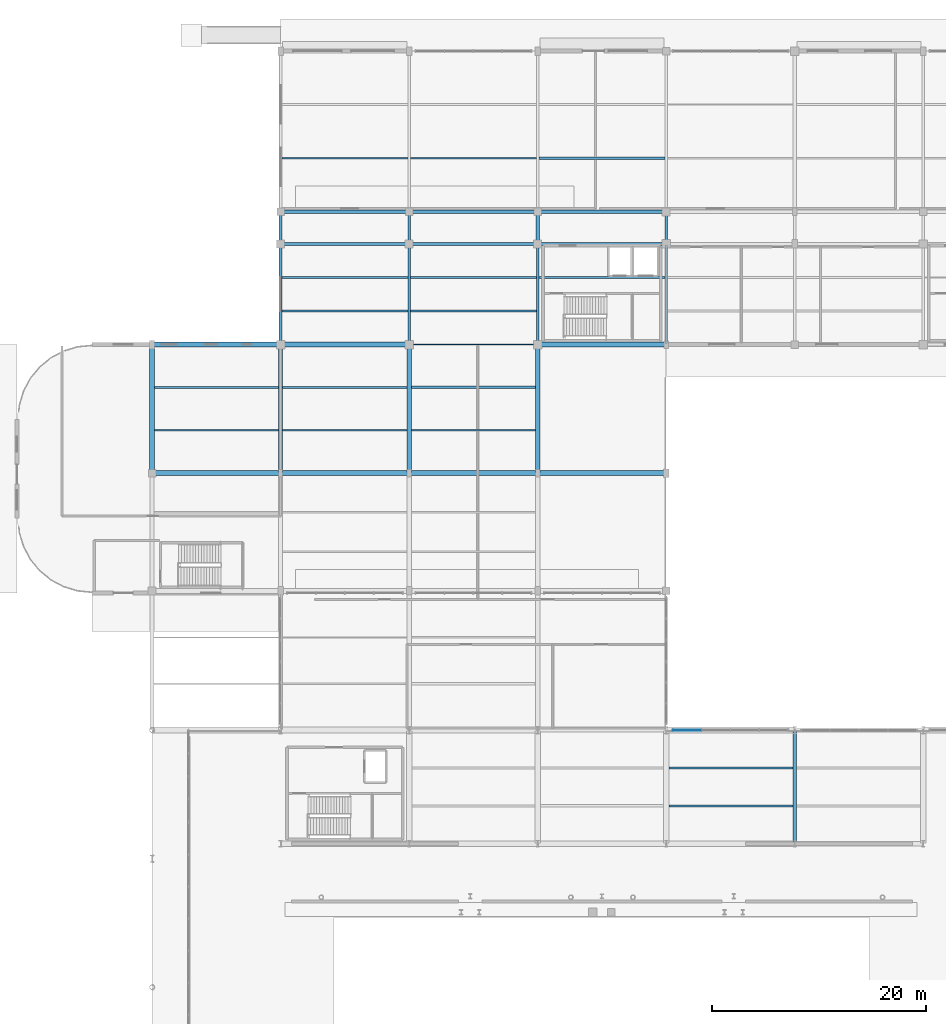
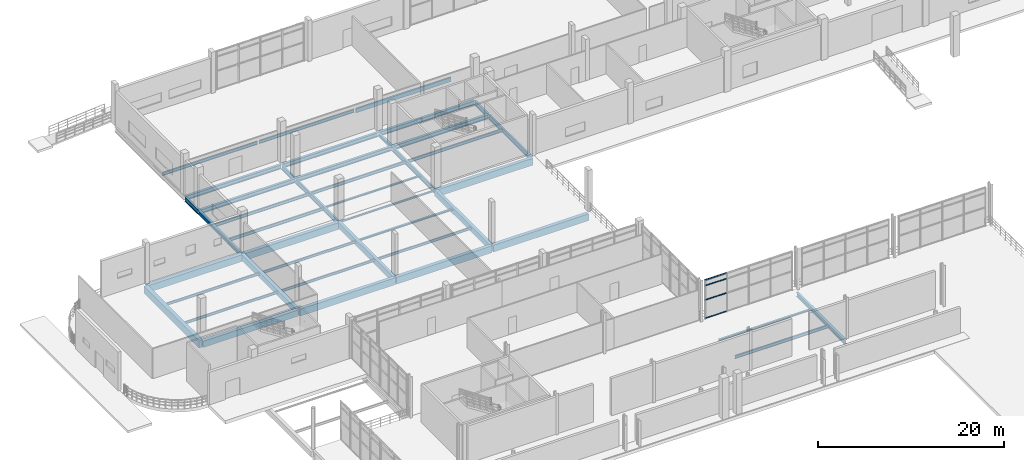
# One storey, part 28 of 85: 43 beams, 4 members, 1 element without a shape of its own.
"""IFC4 building model written with IfcOpenShell, lengths in metres."""

from ifc_helpers import new_model, si_unit, direction, frame, origin, origin_2d, place, context, subcontext, project, spatial, rectangle, i_section, extrude, material, material_profile, profile_set, type_object, element, aggregate, save


model = new_model("IFC4")

# Units and contexts
model_context = context("Model", 3, precision=1e-05, world=origin(), true_north=direction((0.0, 1.0)))
body_context = subcontext(model_context, "Body", "Model", "MODEL_VIEW")
ifc_project = project(units=[si_unit("LENGTHUNIT", "METRE"), si_unit("AREAUNIT", "SQUARE_METRE"), si_unit("VOLUMEUNIT", "CUBIC_METRE"), si_unit("PLANEANGLEUNIT", "RADIAN"), si_unit("MASSUNIT", "GRAM", prefix="KILO"), si_unit("THERMODYNAMICTEMPERATUREUNIT", "KELVIN"), si_unit("POWERUNIT", "WATT")], contexts=[model_context])

# Site, building, storey
site_placement = place(None, origin())
site = spatial("IfcSite", under=ifc_project, at=site_placement, CompositionType="ELEMENT")
building_placement = place(site_placement, origin())
building = spatial("IfcBuilding", under=site, at=building_placement, Name="Solmara Park Aquatics Centre", CompositionType="ELEMENT")
storey_placement = place(building_placement, origin())
storey = spatial("IfcBuildingStorey", under=building, at=storey_placement, Name="L00", CompositionType="ELEMENT", Elevation=0.0)

# Curtain wall, members
ifc_material_1 = material(Name="Anodised Aluminium Curtain Wall Framing", Category="aluminium")
curtain_wall_type = type_object("IfcCurtainWallType", Name="ARC-CW-SYS02", PredefinedType="USERDEFINED", material=ifc_material_1)
curtain_wall_placement = place(storey_placement, origin())
curtain_wall = element("IfcCurtainWall", 1, at=curtain_wall_placement, inside=storey, type_object=curtain_wall_type, Name="Curtain Wall CW-021", ObjectType="CURTAIN WALL", PredefinedType="USERDEFINED")
ifc_material_2 = material(Name="Anodised Aluminium Alloy 6063-T6", Category="aluminium")
ifc_material_profile_1 = material_profile(ifc_material_2, rectangle(XDim=0.074951171875, YDim=0.14990234375, at=origin_2d()), Name="ALU TRANSOM 75x150")
ifc_profile_set_1 = profile_set([ifc_material_profile_1], Name="Anodised Aluminium Alloy 6063-T6")
member_type = type_object("IfcMemberType", Name="ARC-CWT-75x150", PredefinedType="USERDEFINED", material=ifc_profile_set_1)
member_1_placement = place(storey_placement, frame((61.219970703125, 72.60009765625, 0.0400390625), z_axis=(1.0, 0.0, 0.0), x_axis=(0.0, 1.0, 0.0)))
member_1 = element("IfcMember", 2, at=member_1_placement, type_object=member_type, Name="CW-021 transom 1", ObjectType="TRANSOM", PredefinedType="USERDEFINED", context=body_context, shape_type="SweptSolid", body=[
    extrude(rectangle(XDim=0.074951171875, YDim=0.14990234375, at=origin_2d()), origin(), (0.0, 0.0, 1.0), 2.6201171875),
])
member_2_placement = place(storey_placement, frame((61.219970703125, 72.60009765625, 2.449951171875), z_axis=(1.0, 0.0, 0.0), x_axis=(0.0, 1.0, 0.0)))
member_2 = element("IfcMember", 3, at=member_2_placement, type_object=member_type, Name="CW-021 transom 2", ObjectType="TRANSOM", PredefinedType="USERDEFINED", context=body_context, shape_type="SweptSolid", body=[
    extrude(rectangle(XDim=0.074951171875, YDim=0.14990234375, at=origin_2d()), origin(), (0.0, 0.0, 1.0), 2.6201171875),
])
member_3_placement = place(storey_placement, frame((61.219970703125, 72.60009765625, 4.330078125), z_axis=(1.0, 0.0, 0.0), x_axis=(0.0, 1.0, 0.0)))
member_3 = element("IfcMember", 4, at=member_3_placement, type_object=member_type, Name="CW-021 transom 3", ObjectType="TRANSOM", PredefinedType="USERDEFINED", context=body_context, shape_type="SweptSolid", body=[
    extrude(rectangle(XDim=0.074951171875, YDim=0.14990234375, at=origin_2d()), origin(), (0.0, 0.0, 1.0), 2.6201171875),
])
member_4_placement = place(storey_placement, frame((61.219970703125, 72.60009765625, 5.0400390625), z_axis=(1.0, 0.0, 0.0), x_axis=(0.0, 1.0, 0.0)))
member_4 = element("IfcMember", 5, at=member_4_placement, type_object=member_type, Name="CW-021 transom 4", ObjectType="TRANSOM", PredefinedType="USERDEFINED", context=body_context, shape_type="SweptSolid", body=[
    extrude(rectangle(XDim=0.074951171875, YDim=0.14990234375, at=origin_2d()), origin(), (0.0, 0.0, 1.0), 2.6201171875),
])
aggregate(curtain_wall, [member_1, member_2, member_3, member_4])

# Beams
ifc_material_3 = material(Name="Structural Steel S355", Category="steel")
ifc_material_profile_2 = material_profile(ifc_material_3, i_section(OverallWidth=0.300048828125, OverallDepth=0.389892578125, WebThickness=0.010986328125, FlangeThickness=0.01904296875, FilletRadius=0.027099609375, at=origin_2d()), Name="HEA 400")
ifc_profile_set_2 = profile_set([ifc_material_profile_2], Name="Structural Steel S355")
beam_type_1 = type_object("IfcBeamType", Name="STR-BM-HEA400", PredefinedType="BEAM", material=ifc_profile_set_2)
beam_1_placement = place(storey_placement, frame((48.60009765625, 118.080078125, -0.614990234375), z_axis=(0.0, 1.0, 0.0), x_axis=(-1.0, 0.0, 0.0)))
element("IfcBeam", 6, at=beam_1_placement, inside=storey, type_object=beam_type_1, Name="Girder BM-L00-0147", PredefinedType="BEAM", context=body_context, shape_type="SweptSolid", body=[
    extrude(i_section(OverallWidth=0.300048828125, OverallDepth=0.389892578125, WebThickness=0.010986328125, FlangeThickness=0.01904296875, FilletRadius=0.027099609375, at=origin_2d()), origin(), (0.0, 0.0, 1.0), 2.83984375),
])
ifc_material_profile_3 = material_profile(ifc_material_3, i_section(OverallWidth=0.300048828125, OverallDepth=0.489990234375, WebThickness=0.011962890625, FlangeThickness=0.02294921875, FilletRadius=0.027099609375, at=origin_2d()), Name="HEA 500")
ifc_profile_set_3 = profile_set([ifc_material_profile_3], Name="Structural Steel S355")
beam_type_2 = type_object("IfcBeamType", Name="STR-BM-HEA500", PredefinedType="BEAM", material=ifc_profile_set_3)
beam_2_placement = place(storey_placement, frame((24.60009765625, 108.679931640625, -0.6650390625), z_axis=(0.0, 1.0, 0.0), x_axis=(-1.0, 0.0, 0.0)))
element("IfcBeam", 7, at=beam_2_placement, inside=storey, type_object=beam_type_2, Name="Girder BM-L00-0140", PredefinedType="BEAM", context=body_context, shape_type="SweptSolid", body=[
    extrude(i_section(OverallWidth=0.300048828125, OverallDepth=0.489990234375, WebThickness=0.011962890625, FlangeThickness=0.02294921875, FilletRadius=0.027099609375, at=origin_2d()), origin(), (0.0, 0.0, 1.0), 9.239990234375),
])
ifc_material_profile_4 = material_profile(ifc_material_3, i_section(OverallWidth=0.300048828125, OverallDepth=0.5400390625, WebThickness=0.012451171875, FlangeThickness=0.02392578125, FilletRadius=0.027099609375, at=origin_2d()), Name="HEA 550")
ifc_profile_set_4 = profile_set([ifc_material_profile_4], Name="Structural Steel S355")
beam_type_3 = type_object("IfcBeamType", Name="STR-BM-HEA550", PredefinedType="BEAM", material=ifc_profile_set_4)
beam_3_placement = place(storey_placement, frame((72.60009765625, 62.080078125, -0.68994140625), z_axis=(0.0, 1.0, 0.0), x_axis=(-1.0, 0.0, 0.0)))
element("IfcBeam", 8, at=beam_3_placement, inside=storey, type_object=beam_type_3, Name="Girder BM-L00-0028", PredefinedType="BEAM", context=body_context, shape_type="SweptSolid", body=[
    extrude(i_section(OverallWidth=0.300048828125, OverallDepth=0.5400390625, WebThickness=0.012451171875, FlangeThickness=0.02392578125, FilletRadius=0.027099609375, at=origin_2d()), origin(), (0.0, 0.0, 1.0), 10.43994140625),
])
ifc_material_profile_5 = material_profile(ifc_material_3, i_section(OverallWidth=0.300048828125, OverallDepth=0.550048828125, WebThickness=0.014892578125, FlangeThickness=0.029052734375, FilletRadius=0.027099609375, at=origin_2d()), Name="HEB 550")
ifc_profile_set_5 = profile_set([ifc_material_profile_5], Name="Structural Steel S355")
beam_type_4 = type_object("IfcBeamType", Name="STR-BM-HEB550", PredefinedType="BEAM", material=ifc_profile_set_5)
for number, where, z_axis, x_axis, name in (
    (9, (24.679931640625, 118.0, -0.695068359375), (1.0, 0.0, 0.0), (0.0, 1.0, 0.0), "Girder BM-L00-0123"),
    (10, (36.679931640625, 118.0, -0.695068359375), (1.0, 0.0, 0.0), (0.0, 1.0, 0.0), "Girder BM-L00-0124"),
    (11, (48.679931640625, 118.0, -0.695068359375), (1.0, 0.0, 0.0), (0.0, 1.0, 0.0), "Girder BM-L00-0125"),
    (12, (24.679931640625, 121.0, -0.695068359375), (1.0, 0.0, 0.0), (0.0, 1.0, 0.0), "Girder BM-L00-0134"),
    (13, (36.679931640625, 121.0, -0.695068359375), (1.0, 0.0, 0.0), (0.0, 1.0, 0.0), "Girder BM-L00-0135"),
    (14, (48.679931640625, 121.0, -0.695068359375), (1.0, 0.0, 0.0), (0.0, 1.0, 0.0), "Girder BM-L00-0136"),
):
    element("IfcBeam", number, at=place(storey_placement, frame(where, z_axis=z_axis, x_axis=x_axis)), inside=storey, type_object=beam_type_4, Name=name, PredefinedType="BEAM", context=body_context, shape_type="SweptSolid", body=[
        extrude(i_section(OverallWidth=0.300048828125, OverallDepth=0.550048828125, WebThickness=0.014892578125, FlangeThickness=0.029052734375, FilletRadius=0.027099609375, at=origin_2d()), origin(), (0.0, 0.0, 1.0), 11.840087890625),
    ])
ifc_material_profile_6 = material_profile(ifc_material_3, i_section(OverallWidth=0.219970703125, OverallDepth=0.60009765625, WebThickness=0.011962890625, FlangeThickness=0.01904296875, FilletRadius=0.02392578125, at=origin_2d()), Name="IPE 600")
ifc_profile_set_6 = profile_set([ifc_material_profile_6], Name="Structural Steel S355")
beam_type_5 = type_object("IfcBeamType", Name="STR-BM-IPE600", PredefinedType="BEAM", material=ifc_profile_set_6)
beam_4_placement = place(storey_placement, frame((24.60009765625, 118.080078125, -0.719970703125), z_axis=(0.0, 1.0, 0.0), x_axis=(-1.0, 0.0, 0.0)))
element("IfcBeam", 15, at=beam_4_placement, inside=storey, type_object=beam_type_5, Name="Girder BM-L00-0141", PredefinedType="BEAM", context=body_context, shape_type="SweptSolid", body=[
    extrude(i_section(OverallWidth=0.219970703125, OverallDepth=0.60009765625, WebThickness=0.011962890625, FlangeThickness=0.01904296875, FilletRadius=0.02392578125, at=origin_2d()), origin(), (0.0, 0.0, 1.0), 2.83984375),
])
beam_5_placement = place(storey_placement, frame((36.60009765625, 108.679931640625, -0.719970703125), z_axis=(0.0, 1.0, 0.0), x_axis=(-1.0, 0.0, 0.0)))
element("IfcBeam", 16, at=beam_5_placement, inside=storey, type_object=beam_type_5, Name="Girder BM-L00-0143", PredefinedType="BEAM", context=body_context, shape_type="SweptSolid", body=[
    extrude(i_section(OverallWidth=0.219970703125, OverallDepth=0.60009765625, WebThickness=0.011962890625, FlangeThickness=0.01904296875, FilletRadius=0.02392578125, at=origin_2d()), origin(), (0.0, 0.0, 1.0), 9.239990234375),
])
beam_6_placement = place(storey_placement, frame((36.60009765625, 118.080078125, -0.719970703125), z_axis=(0.0, 1.0, 0.0), x_axis=(-1.0, 0.0, 0.0)))
element("IfcBeam", 17, at=beam_6_placement, inside=storey, type_object=beam_type_5, Name="Girder BM-L00-0144", PredefinedType="BEAM", context=body_context, shape_type="SweptSolid", body=[
    extrude(i_section(OverallWidth=0.219970703125, OverallDepth=0.60009765625, WebThickness=0.011962890625, FlangeThickness=0.01904296875, FilletRadius=0.02392578125, at=origin_2d()), origin(), (0.0, 0.0, 1.0), 2.83984375),
])
for number, where, z_axis, x_axis, name in (
    (18, (48.60009765625, 108.679931640625, -0.719970703125), (0.0, 1.0, 0.0), (-1.0, 0.0, 0.0), "Girder BM-L00-0146"),
    (19, (60.60009765625, 108.679931640625, -0.719970703125), (0.0, 1.0, 0.0), (-1.0, 0.0, 0.0), "Girder BM-L00-0149"),
):
    element("IfcBeam", number, at=place(storey_placement, frame(where, z_axis=z_axis, x_axis=x_axis)), inside=storey, type_object=beam_type_5, Name=name, PredefinedType="BEAM", context=body_context, shape_type="SweptSolid", body=[
        extrude(i_section(OverallWidth=0.219970703125, OverallDepth=0.60009765625, WebThickness=0.011962890625, FlangeThickness=0.01904296875, FilletRadius=0.02392578125, at=origin_2d()), origin(), (0.0, 0.0, 1.0), 9.239990234375),
    ])
beam_7_placement = place(storey_placement, frame((60.60009765625, 118.080078125, -0.719970703125), z_axis=(0.0, 1.0, 0.0), x_axis=(-1.0, 0.0, 0.0)))
element("IfcBeam", 20, at=beam_7_placement, inside=storey, type_object=beam_type_5, Name="Girder BM-L00-0150", PredefinedType="BEAM", context=body_context, shape_type="SweptSolid", body=[
    extrude(i_section(OverallWidth=0.219970703125, OverallDepth=0.60009765625, WebThickness=0.011962890625, FlangeThickness=0.01904296875, FilletRadius=0.02392578125, at=origin_2d()), origin(), (0.0, 0.0, 1.0), 2.83984375),
])
ifc_material_4 = material(Name="Concrete C40/50", Category="concrete")
ifc_material_profile_7 = material_profile(ifc_material_4, rectangle(XDim=0.39990234375, YDim=0.75, at=origin_2d()), Name="RC 400x750")
ifc_profile_set_7 = profile_set([ifc_material_profile_7], Name="Concrete C40/50")
beam_type_6 = type_object("IfcBeamType", Name="STR-BM-RC400x750", PredefinedType="BEAM", material=ifc_profile_set_7)
for number, where, z_axis, x_axis, name in (
    (21, (24.60009765625, 96.679931640625, -0.794921875), (0.0, 1.0, 0.0), (-1.0, 0.0, 0.0), "Girder BM-L00-0115"),
    (22, (36.60009765625, 96.679931640625, -0.794921875), (0.0, 1.0, 0.0), (-1.0, 0.0, 0.0), "Girder BM-L00-0118"),
    (23, (48.60009765625, 96.679931640625, -0.794921875), (0.0, 1.0, 0.0), (-1.0, 0.0, 0.0), "Girder BM-L00-0121"),
):
    element("IfcBeam", number, at=place(storey_placement, frame(where, z_axis=z_axis, x_axis=x_axis)), inside=storey, type_object=beam_type_6, Name=name, PredefinedType="BEAM", context=body_context, shape_type="SweptSolid", body=[
        extrude(rectangle(XDim=0.39990234375, YDim=0.75, at=origin_2d()), origin(), (0.0, 0.0, 1.0), 11.840087890625),
    ])
ifc_material_profile_8 = material_profile(ifc_material_4, rectangle(XDim=0.449951171875, YDim=0.800048828125, at=origin_2d()), Name="RC 450x800")
ifc_profile_set_8 = profile_set([ifc_material_profile_8], Name="Concrete C40/50")
beam_type_7 = type_object("IfcBeamType", Name="STR-BM-RC450x800", PredefinedType="BEAM", material=ifc_profile_set_8)
beam_8_placement = place(storey_placement, frame((12.679931640625, 96.60009765625, -0.820068359375), z_axis=(1.0, 0.0, 0.0), x_axis=(0.0, 1.0, 0.0)))
element("IfcBeam", 24, at=beam_8_placement, inside=storey, type_object=beam_type_7, Name="Girder BM-L00-0102", PredefinedType="BEAM", context=body_context, shape_type="SweptSolid", body=[
    extrude(rectangle(XDim=0.449951171875, YDim=0.800048828125, at=origin_2d()), origin(), (0.0, 0.0, 1.0), 11.840087890625),
])
ifc_material_profile_9 = material_profile(ifc_material_4, rectangle(XDim=0.449951171875, YDim=0.89990234375, at=origin_2d()), Name="RC 450x900")
ifc_profile_set_9 = profile_set([ifc_material_profile_9], Name="Concrete C40/50")
beam_type_8 = type_object("IfcBeamType", Name="STR-BM-RC450x900", PredefinedType="BEAM", material=ifc_profile_set_9)
for number, where, z_axis, x_axis, name in (
    (25, (24.679931640625, 96.60009765625, -0.8701171875), (1.0, 0.0, 0.0), (0.0, 1.0, 0.0), "Girder BM-L00-0103"),
    (26, (36.679931640625, 96.60009765625, -0.8701171875), (1.0, 0.0, 0.0), (0.0, 1.0, 0.0), "Girder BM-L00-0104"),
    (27, (48.679931640625, 96.60009765625, -0.8701171875), (1.0, 0.0, 0.0), (0.0, 1.0, 0.0), "Girder BM-L00-0105"),
    (28, (12.679931640625, 108.60009765625, -0.8701171875), (1.0, 0.0, 0.0), (0.0, 1.0, 0.0), "Girder BM-L00-0106"),
    (29, (24.679931640625, 108.60009765625, -0.8701171875), (1.0, 0.0, 0.0), (0.0, 1.0, 0.0), "Girder BM-L00-0107"),
    (30, (48.679931640625, 108.60009765625, -0.8701171875), (1.0, 0.0, 0.0), (0.0, 1.0, 0.0), "Girder BM-L00-0109"),
):
    element("IfcBeam", number, at=place(storey_placement, frame(where, z_axis=z_axis, x_axis=x_axis)), inside=storey, type_object=beam_type_8, Name=name, PredefinedType="BEAM", context=body_context, shape_type="SweptSolid", body=[
        extrude(rectangle(XDim=0.449951171875, YDim=0.89990234375, at=origin_2d()), origin(), (0.0, 0.0, 1.0), 11.840087890625),
    ])
ifc_material_profile_10 = material_profile(ifc_material_4, rectangle(XDim=0.5, YDim=0.949951171875, at=origin_2d()), Name="RC 500x950")
ifc_profile_set_10 = profile_set([ifc_material_profile_10], Name="Concrete C40/50")
beam_type_9 = type_object("IfcBeamType", Name="STR-BM-RC500x950", PredefinedType="BEAM", material=ifc_profile_set_10)
beam_9_placement = place(storey_placement, frame((12.60009765625, 96.679931640625, -0.89501953125), z_axis=(0.0, 1.0, 0.0), x_axis=(-1.0, 0.0, 0.0)))
element("IfcBeam", 31, at=beam_9_placement, inside=storey, type_object=beam_type_9, Name="Girder BM-L00-0112", PredefinedType="BEAM", context=body_context, shape_type="SweptSolid", body=[
    extrude(rectangle(XDim=0.5, YDim=0.949951171875, at=origin_2d()), origin(), (0.0, 0.0, 1.0), 11.840087890625),
])
ifc_material_5 = material(Name="Glulam Timber GL28h", Category="wood")
ifc_material_profile_11 = material_profile(ifc_material_5, rectangle(XDim=0.199951171875, YDim=0.5400390625, at=origin_2d()), Name="GL28h 200x540")
ifc_profile_set_11 = profile_set([ifc_material_profile_11], Name="Glulam Timber GL28h")
beam_type_10 = type_object("IfcBeamType", Name="STR-JST-GL200x540", PredefinedType="JOIST", material=ifc_profile_set_11)
beam_10_placement = place(storey_placement, frame((48.7099609375, 126.0, -0.68994140625), z_axis=(1.0, 0.0, 0.0), x_axis=(0.0, 1.0, 0.0)))
element("IfcBeam", 32, at=beam_10_placement, inside=storey, type_object=beam_type_10, Name="Floor Joist JST-L00-0084", PredefinedType="JOIST", context=body_context, shape_type="SweptSolid", body=[
    extrude(rectangle(XDim=0.199951171875, YDim=0.5400390625, at=origin_2d()), origin(), (0.0, 0.0, 1.0), 11.780029296875),
])
ifc_material_profile_12 = material_profile(ifc_material_3, i_section(OverallWidth=0.199951171875, OverallDepth=0.18994140625, WebThickness=0.006591796875, FlangeThickness=0.010009765625, FilletRadius=0.01806640625, at=origin_2d()), Name="HEA 200")
ifc_profile_set_12 = profile_set([ifc_material_profile_12], Name="Structural Steel S355")
beam_type_11 = type_object("IfcBeamType", Name="STR-JST-HEA200", PredefinedType="JOIST", material=ifc_profile_set_12)
beam_11_placement = place(storey_placement, frame((36.7099609375, 111.7333984375, -0.514892578125), z_axis=(1.0, 0.0, 0.0), x_axis=(0.0, 1.0, 0.0)))
element("IfcBeam", 33, at=beam_11_placement, inside=storey, type_object=beam_type_11, Name="Floor Joist JST-L00-0079", PredefinedType="JOIST", context=body_context, shape_type="SweptSolid", body=[
    extrude(i_section(OverallWidth=0.199951171875, OverallDepth=0.18994140625, WebThickness=0.006591796875, FlangeThickness=0.010009765625, FilletRadius=0.01806640625, at=origin_2d()), origin(), (0.0, 0.0, 1.0), 11.780029296875),
])
ifc_material_profile_13 = material_profile(ifc_material_3, i_section(OverallWidth=0.219970703125, OverallDepth=0.2099609375, WebThickness=0.007080078125, FlangeThickness=0.010986328125, FilletRadius=0.01806640625, at=origin_2d()), Name="HEA 220")
ifc_profile_set_13 = profile_set([ifc_material_profile_13], Name="Structural Steel S355")
beam_type_12 = type_object("IfcBeamType", Name="STR-JST-HEA220", PredefinedType="JOIST", material=ifc_profile_set_13)
for number, where, z_axis, x_axis, name in (
    (34, (60.85009765625, 69.066650390625, -0.52490234375), (1.0, 0.0, 0.0), (0.0, 1.0, 0.0), "Floor Joist JST-L00-0014"),
    (35, (36.800048828125, 104.60009765625, -0.52490234375), (1.0, 0.0, 0.0), (0.0, 1.0, 0.0), "Floor Joist JST-L00-0074"),
):
    element("IfcBeam", number, at=place(storey_placement, frame(where, z_axis=z_axis, x_axis=x_axis)), inside=storey, type_object=beam_type_12, Name=name, PredefinedType="JOIST", context=body_context, shape_type="SweptSolid", body=[
        extrude(i_section(OverallWidth=0.219970703125, OverallDepth=0.2099609375, WebThickness=0.007080078125, FlangeThickness=0.010986328125, FilletRadius=0.01806640625, at=origin_2d()), origin(), (0.0, 0.0, 1.0), 11.599853515625),
    ])
ifc_material_profile_14 = material_profile(ifc_material_3, i_section(OverallWidth=0.159912109375, OverallDepth=0.330078125, WebThickness=0.007568359375, FlangeThickness=0.011474609375, FilletRadius=0.01806640625, at=origin_2d()), Name="IPE 330")
ifc_profile_set_14 = profile_set([ifc_material_profile_14], Name="Structural Steel S355")
beam_type_13 = type_object("IfcBeamType", Name="STR-JST-IPE330", PredefinedType="JOIST", material=ifc_profile_set_14)
for number, where, z_axis, x_axis, name in (
    (36, (12.85009765625, 100.60009765625, -0.5849609375), (1.0, 0.0, 0.0), (0.0, 1.0, 0.0), "Floor Joist JST-L00-0061"),
    (37, (12.85009765625, 104.60009765625, -0.5849609375), (1.0, 0.0, 0.0), (0.0, 1.0, 0.0), "Floor Joist JST-L00-0062"),
):
    element("IfcBeam", number, at=place(storey_placement, frame(where, z_axis=z_axis, x_axis=x_axis)), inside=storey, type_object=beam_type_13, Name=name, PredefinedType="JOIST", context=body_context, shape_type="SweptSolid", body=[
        extrude(i_section(OverallWidth=0.159912109375, OverallDepth=0.330078125, WebThickness=0.007568359375, FlangeThickness=0.011474609375, FilletRadius=0.01806640625, at=origin_2d()), origin(), (0.0, 0.0, 1.0), 11.5498046875),
    ])
for number, where, z_axis, x_axis, name in (
    (38, (24.800048828125, 100.60009765625, -0.5849609375), (1.0, 0.0, 0.0), (0.0, 1.0, 0.0), "Floor Joist JST-L00-0067"),
    (39, (24.800048828125, 104.60009765625, -0.5849609375), (1.0, 0.0, 0.0), (0.0, 1.0, 0.0), "Floor Joist JST-L00-0068"),
    (40, (36.800048828125, 100.60009765625, -0.5849609375), (1.0, 0.0, 0.0), (0.0, 1.0, 0.0), "Floor Joist JST-L00-0073"),
):
    element("IfcBeam", number, at=place(storey_placement, frame(where, z_axis=z_axis, x_axis=x_axis)), inside=storey, type_object=beam_type_13, Name=name, PredefinedType="JOIST", context=body_context, shape_type="SweptSolid", body=[
        extrude(i_section(OverallWidth=0.159912109375, OverallDepth=0.330078125, WebThickness=0.007568359375, FlangeThickness=0.011474609375, FilletRadius=0.01806640625, at=origin_2d()), origin(), (0.0, 0.0, 1.0), 11.599853515625),
    ])
ifc_material_profile_15 = material_profile(ifc_material_3, i_section(OverallWidth=0.179931640625, OverallDepth=0.39990234375, WebThickness=0.008544921875, FlangeThickness=0.013427734375, FilletRadius=0.02099609375, at=origin_2d()), Name="IPE 400")
ifc_profile_set_15 = profile_set([ifc_material_profile_15], Name="Structural Steel S355")
beam_type_14 = type_object("IfcBeamType", Name="STR-JST-IPE400", PredefinedType="JOIST", material=ifc_profile_set_15)
beam_12_placement = place(storey_placement, frame((60.85009765625, 65.533203125, -0.6201171875), z_axis=(1.0, 0.0, 0.0), x_axis=(0.0, 1.0, 0.0)))
element("IfcBeam", 41, at=beam_12_placement, inside=storey, type_object=beam_type_14, Name="Floor Joist JST-L00-0013", PredefinedType="JOIST", context=body_context, shape_type="SweptSolid", body=[
    extrude(i_section(OverallWidth=0.179931640625, OverallDepth=0.39990234375, WebThickness=0.008544921875, FlangeThickness=0.013427734375, FilletRadius=0.02099609375, at=origin_2d()), origin(), (0.0, 0.0, 1.0), 11.599853515625),
])
for number, where, z_axis, x_axis, name in (
    (42, (24.75, 111.7333984375, -0.6201171875), (1.0, 0.0, 0.0), (0.0, 1.0, 0.0), "Floor Joist JST-L00-0075"),
    (43, (24.75, 114.86669921875, -0.6201171875), (1.0, 0.0, 0.0), (0.0, 1.0, 0.0), "Floor Joist JST-L00-0076"),
):
    element("IfcBeam", number, at=place(storey_placement, frame(where, z_axis=z_axis, x_axis=x_axis)), inside=storey, type_object=beam_type_14, Name=name, PredefinedType="JOIST", context=body_context, shape_type="SweptSolid", body=[
        extrude(i_section(OverallWidth=0.179931640625, OverallDepth=0.39990234375, WebThickness=0.008544921875, FlangeThickness=0.013427734375, FilletRadius=0.02099609375, at=origin_2d()), origin(), (0.0, 0.0, 1.0), 11.739990234375),
    ])
for number, where, z_axis, x_axis, name in (
    (44, (24.7099609375, 126.0, -0.6201171875), (1.0, 0.0, 0.0), (0.0, 1.0, 0.0), "Floor Joist JST-L00-0077"),
    (45, (36.7099609375, 114.86669921875, -0.6201171875), (1.0, 0.0, 0.0), (0.0, 1.0, 0.0), "Floor Joist JST-L00-0080"),
    (46, (36.7099609375, 126.0, -0.6201171875), (1.0, 0.0, 0.0), (0.0, 1.0, 0.0), "Floor Joist JST-L00-0081"),
    (47, (48.7099609375, 114.86669921875, -0.6201171875), (1.0, 0.0, 0.0), (0.0, 1.0, 0.0), "Floor Joist JST-L00-0083"),
):
    element("IfcBeam", number, at=place(storey_placement, frame(where, z_axis=z_axis, x_axis=x_axis)), inside=storey, type_object=beam_type_14, Name=name, PredefinedType="JOIST", context=body_context, shape_type="SweptSolid", body=[
        extrude(i_section(OverallWidth=0.179931640625, OverallDepth=0.39990234375, WebThickness=0.008544921875, FlangeThickness=0.013427734375, FilletRadius=0.02099609375, at=origin_2d()), origin(), (0.0, 0.0, 1.0), 11.780029296875),
    ])
ifc_material_profile_16 = material_profile(ifc_material_3, i_section(OverallWidth=0.1201171875, OverallDepth=0.239990234375, WebThickness=0.006103515625, FlangeThickness=0.009765625, FilletRadius=0.014892578125, at=origin_2d()), Name="IPE 240")
ifc_profile_set_16 = profile_set([ifc_material_profile_16], Name="Structural Steel S355")
beam_type_15 = type_object("IfcBeamType", Name="STR-SPD-IPE240", PredefinedType="SPANDREL", material=ifc_profile_set_16)
beam_13_placement = place(storey_placement, frame((36.679931640625, 108.60009765625, -0.5400390625), z_axis=(1.0, 0.0, 0.0), x_axis=(0.0, 1.0, 0.0)))
element("IfcBeam", 48, at=beam_13_placement, inside=storey, type_object=beam_type_15, Name="Girder BM-L00-0108", PredefinedType="SPANDREL", context=body_context, shape_type="SweptSolid", body=[
    extrude(i_section(OverallWidth=0.1201171875, OverallDepth=0.239990234375, WebThickness=0.006103515625, FlangeThickness=0.009765625, FilletRadius=0.014892578125, at=origin_2d()), origin(), (0.0, 0.0, 1.0), 11.840087890625),
])

save(model, "model.ifc")
